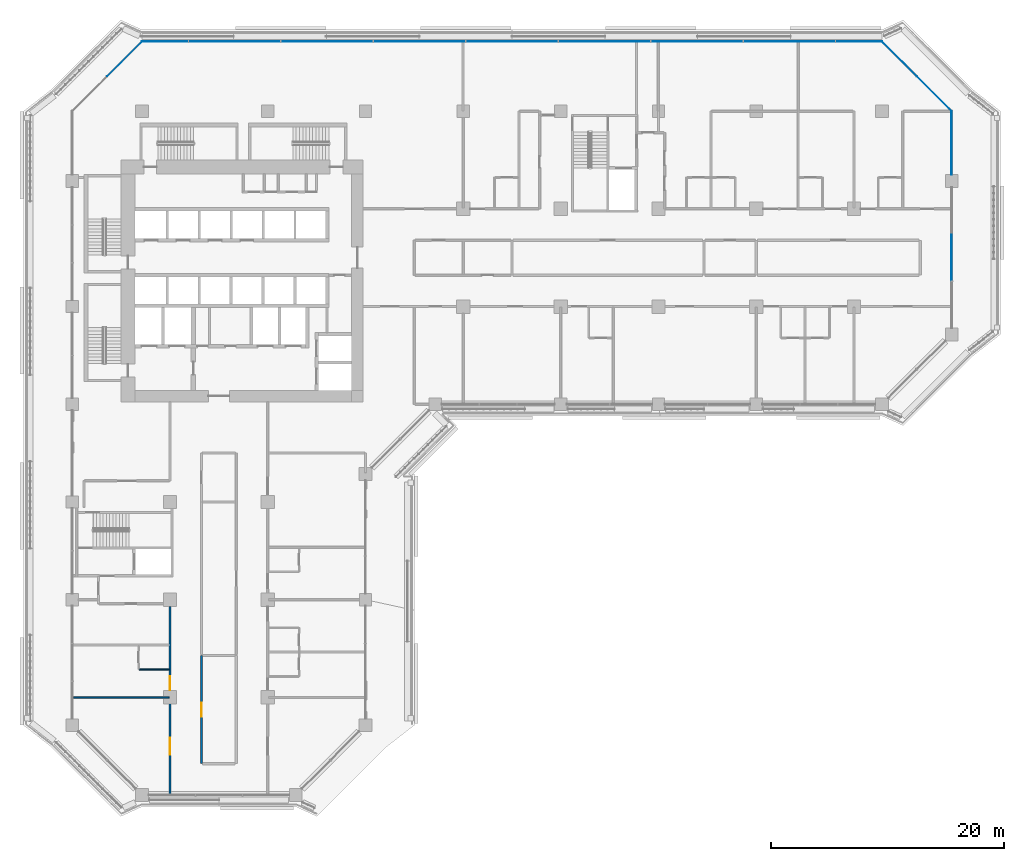
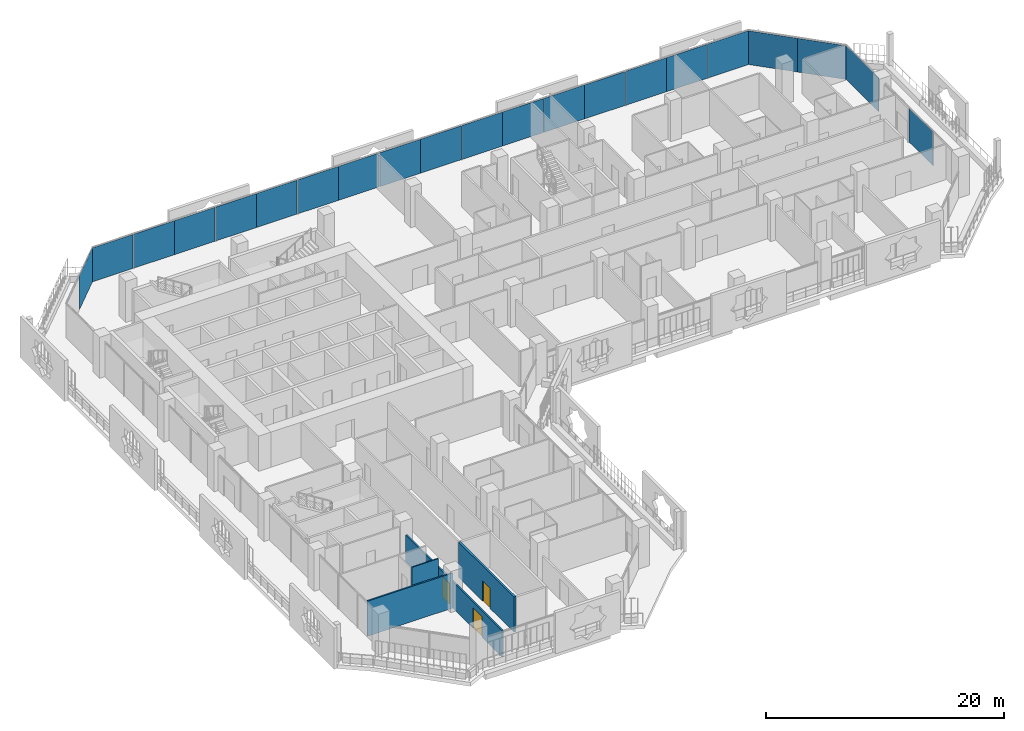
# One storey, part 11 of 25: 21 plates, 4 walls, 3 doors, 3 openings, 4 elements without a shape of their own.
"""IFC4 building model written with IfcOpenShell, lengths in metres."""

from ifc_helpers import new_model, si_unit, direction, frame, frame_2d, origin, origin_2d, place, context, subcontext, project, spatial, rectangle, extrude, material, layer, layer_set, type_object, element, fill, aggregate, save


model = new_model("IFC4")

# Units and contexts
model_context = context("Model", 3, precision=1e-05, world=origin(), true_north=direction((0.0, 1.0)))
body_context = subcontext(model_context, "Body", "Model", "MODEL_VIEW")
ifc_project = project(units=[si_unit("LENGTHUNIT", "METRE"), si_unit("AREAUNIT", "SQUARE_METRE"), si_unit("VOLUMEUNIT", "CUBIC_METRE"), si_unit("PLANEANGLEUNIT", "RADIAN"), si_unit("MASSUNIT", "GRAM", prefix="KILO")], contexts=[model_context])

# Site, building, storey
site_placement = place(None, origin())
site = spatial("IfcSite", under=ifc_project, at=site_placement, CompositionType="ELEMENT")
building_placement = place(site_placement, origin())
building = spatial("IfcBuilding", under=site, at=building_placement, Name="Kawkab Arch Medical Tower", CompositionType="ELEMENT")
storey_placement = place(building_placement, frame((0.0, 0.0, 128.199951171875)))
storey = spatial("IfcBuildingStorey", under=building, at=storey_placement, Name="L29", CompositionType="ELEMENT", Elevation=128.199951171875)

# Curtain wall, plates
ifc_material_1 = material(Name="Bronze anodised aluminium curtain wall frame", Category="aluminium")
ifc_layer_1 = layer(ifc_material_1, 0.159912109375)
ifc_layer_set_1 = layer_set([ifc_layer_1], Name="Bronze anodised aluminium curtain wall frame")
curtain_wall_type_1 = type_object("IfcCurtainWallType", Name="CW1 ward curtain wall", PredefinedType="NOTDEFINED", material=ifc_layer_set_1)
placement = place(storey_placement, origin())
curtain_wall_1 = element("IfcCurtainWall", 1, at=placement, inside=storey, type_object=curtain_wall_type_1, Name="CW1 Ward curtain wall R09", PredefinedType="NOTDEFINED")
ifc_material_2 = material(Name="Tinted insulating glass, bronze low-e coating", Category="glass")
ifc_layer_2 = layer(ifc_material_2, 0.031982421875)
ifc_layer_set_2 = layer_set([ifc_layer_2], Name="Tinted insulating glass, bronze low-e coating")
plate_type_1 = type_object("IfcPlateType", Name="CW1 glazing unit 32", PredefinedType="CURTAIN_PANEL", material=ifc_layer_set_2)
plate_1_placement = place(storey_placement, frame((75.60009765625, -12.5849609375, 0.0), z_axis=(0.0, 0.0, 1.0), x_axis=(0.0, 1.0, 0.0)))
plate_1 = element("IfcPlate", 2, at=plate_1_placement, type_object=plate_type_1, Name="CW1 glazing unit 1.2", PredefinedType="CURTAIN_PANEL", context=body_context, shape_type="SweptSolid", body=[
    extrude(rectangle(XDim=4.00341796875, YDim=0.031982421875, at=origin_2d()), origin(), (0.0, 0.0, 1.0), 3.47998046875),
])
plate_2_placement = place(storey_placement, frame((75.60009765625, -2.72509765625, 0.0), z_axis=(0.0, 0.0, 1.0), x_axis=(0.0, 1.0, 0.0)))
plate_2 = element("IfcPlate", 3, at=plate_2_placement, type_object=plate_type_1, Name="CW1 glazing unit 2.1", PredefinedType="CURTAIN_PANEL", context=body_context, shape_type="SweptSolid", body=[
    extrude(rectangle(XDim=5.449951171875, YDim=0.031982421875, at=origin_2d()), origin(), (0.0, 0.0, 1.0), 3.47998046875),
])
aggregate(curtain_wall_1, [plate_1, plate_2])

curtain_wall_2 = element("IfcCurtainWall", 4, at=placement, inside=storey, type_object=curtain_wall_type_1, Name="CW1 Ward curtain wall R11", PredefinedType="NOTDEFINED")
plate_3_placement = place(storey_placement, frame((67.62744140625, 6.0, 0.0), z_axis=(0.0, 0.0, 1.0), x_axis=(-1.0, 0.0, 0.0)))
plate_3 = element("IfcPlate", 5, at=plate_3_placement, type_object=plate_type_1, Name="CW1 glazing unit 1.1", PredefinedType="CURTAIN_PANEL", context=body_context, shape_type="SweptSolid", body=[
    extrude(rectangle(XDim=3.945068359375, YDim=0.031982421875, at=origin_2d()), origin(), (0.0, 0.0, 1.0), 3.47998046875),
])
plate_4_placement = place(storey_placement, frame((63.62255859375, 6.0, 0.0), z_axis=(0.0, 0.0, 1.0), x_axis=(-1.0, 0.0, 0.0)))
plate_4 = element("IfcPlate", 6, at=plate_4_placement, type_object=plate_type_1, Name="CW1 glazing unit 1.2", PredefinedType="CURTAIN_PANEL", context=body_context, shape_type="SweptSolid", body=[
    extrude(rectangle(XDim=3.945068359375, YDim=0.031982421875, at=origin_2d()), origin(), (0.0, 0.0, 1.0), 3.47998046875),
])
plate_5_placement = place(storey_placement, frame((59.677490234375, 6.0, 0.0), z_axis=(0.0, 0.0, 1.0), x_axis=(-1.0, 0.0, 0.0)))
plate_5 = element("IfcPlate", 7, at=plate_5_placement, type_object=plate_type_1, Name="CW1 glazing unit 2.1", PredefinedType="CURTAIN_PANEL", context=body_context, shape_type="SweptSolid", body=[
    extrude(rectangle(XDim=3.945068359375, YDim=0.031982421875, at=origin_2d()), origin(), (0.0, 0.0, 1.0), 3.47998046875),
])
plate_6_placement = place(storey_placement, frame((55.672607421875, 6.0, 0.0), z_axis=(0.0, 0.0, 1.0), x_axis=(-1.0, 0.0, 0.0)))
plate_6 = element("IfcPlate", 8, at=plate_6_placement, type_object=plate_type_1, Name="CW1 glazing unit 2.2", PredefinedType="CURTAIN_PANEL", context=body_context, shape_type="SweptSolid", body=[
    extrude(rectangle(XDim=3.945068359375, YDim=0.031982421875, at=origin_2d()), origin(), (0.0, 0.0, 1.0), 3.47998046875),
])
plate_7_placement = place(storey_placement, frame((51.7275390625, 6.0, 0.0), z_axis=(0.0, 0.0, 1.0), x_axis=(-1.0, 0.0, 0.0)))
plate_7 = element("IfcPlate", 9, at=plate_7_placement, type_object=plate_type_1, Name="CW1 glazing unit 3.1", PredefinedType="CURTAIN_PANEL", context=body_context, shape_type="SweptSolid", body=[
    extrude(rectangle(XDim=3.945068359375, YDim=0.031982421875, at=origin_2d()), origin(), (0.0, 0.0, 1.0), 3.47998046875),
])
plate_8_placement = place(storey_placement, frame((47.722412109375, 6.0, 0.0), z_axis=(0.0, 0.0, 1.0), x_axis=(-1.0, 0.0, 0.0)))
plate_8 = element("IfcPlate", 10, at=plate_8_placement, type_object=plate_type_1, Name="CW1 glazing unit 3.2", PredefinedType="CURTAIN_PANEL", context=body_context, shape_type="SweptSolid", body=[
    extrude(rectangle(XDim=3.945068359375, YDim=0.031982421875, at=origin_2d()), origin(), (0.0, 0.0, 1.0), 3.47998046875),
])
plate_9_placement = place(storey_placement, frame((43.777587890625, 6.0, 0.0), z_axis=(0.0, 0.0, 1.0), x_axis=(-1.0, 0.0, 0.0)))
plate_9 = element("IfcPlate", 11, at=plate_9_placement, type_object=plate_type_1, Name="CW1 glazing unit 4.1", PredefinedType="CURTAIN_PANEL", context=body_context, shape_type="SweptSolid", body=[
    extrude(rectangle(XDim=3.945068359375, YDim=0.031982421875, at=origin_2d()), origin(), (0.0, 0.0, 1.0), 3.47998046875),
])
plate_10_placement = place(storey_placement, frame((39.7724609375, 6.0, 0.0), z_axis=(0.0, 0.0, 1.0), x_axis=(-1.0, 0.0, 0.0)))
plate_10 = element("IfcPlate", 12, at=plate_10_placement, type_object=plate_type_1, Name="CW1 glazing unit 4.2", PredefinedType="CURTAIN_PANEL", context=body_context, shape_type="SweptSolid", body=[
    extrude(rectangle(XDim=3.945068359375, YDim=0.031982421875, at=origin_2d()), origin(), (0.0, 0.0, 1.0), 3.47998046875),
])
plate_11_placement = place(storey_placement, frame((35.827392578125, 6.0, 0.0), z_axis=(0.0, 0.0, 1.0), x_axis=(-1.0, 0.0, 0.0)))
plate_11 = element("IfcPlate", 13, at=plate_11_placement, type_object=plate_type_1, Name="CW1 glazing unit 5.1", PredefinedType="CURTAIN_PANEL", context=body_context, shape_type="SweptSolid", body=[
    extrude(rectangle(XDim=3.945068359375, YDim=0.031982421875, at=origin_2d()), origin(), (0.0, 0.0, 1.0), 3.47998046875),
])
plate_12_placement = place(storey_placement, frame((31.822509765625, 6.0, 0.0), z_axis=(0.0, 0.0, 1.0), x_axis=(-1.0, 0.0, 0.0)))
plate_12 = element("IfcPlate", 14, at=plate_12_placement, type_object=plate_type_1, Name="CW1 glazing unit 5.2", PredefinedType="CURTAIN_PANEL", context=body_context, shape_type="SweptSolid", body=[
    extrude(rectangle(XDim=3.945068359375, YDim=0.031982421875, at=origin_2d()), origin(), (0.0, 0.0, 1.0), 3.47998046875),
])
plate_13_placement = place(storey_placement, frame((27.87744140625, 6.0, 0.0), z_axis=(0.0, 0.0, 1.0), x_axis=(-1.0, 0.0, 0.0)))
plate_13 = element("IfcPlate", 15, at=plate_13_placement, type_object=plate_type_1, Name="CW1 glazing unit 6.1", PredefinedType="CURTAIN_PANEL", context=body_context, shape_type="SweptSolid", body=[
    extrude(rectangle(XDim=3.945068359375, YDim=0.031982421875, at=origin_2d()), origin(), (0.0, 0.0, 1.0), 3.47998046875),
])
plate_14_placement = place(storey_placement, frame((23.87255859375, 6.0, 0.0), z_axis=(0.0, 0.0, 1.0), x_axis=(-1.0, 0.0, 0.0)))
plate_14 = element("IfcPlate", 16, at=plate_14_placement, type_object=plate_type_1, Name="CW1 glazing unit 6.2", PredefinedType="CURTAIN_PANEL", context=body_context, shape_type="SweptSolid", body=[
    extrude(rectangle(XDim=3.945068359375, YDim=0.031982421875, at=origin_2d()), origin(), (0.0, 0.0, 1.0), 3.47998046875),
])
plate_15_placement = place(storey_placement, frame((19.927490234375, 6.0, 0.0), z_axis=(0.0, 0.0, 1.0), x_axis=(-1.0, 0.0, 0.0)))
plate_15 = element("IfcPlate", 17, at=plate_15_placement, type_object=plate_type_1, Name="CW1 glazing unit 7.1", PredefinedType="CURTAIN_PANEL", context=body_context, shape_type="SweptSolid", body=[
    extrude(rectangle(XDim=3.945068359375, YDim=0.031982421875, at=origin_2d()), origin(), (0.0, 0.0, 1.0), 3.47998046875),
])
plate_16_placement = place(storey_placement, frame((15.922607421875, 6.0, 0.0), z_axis=(0.0, 0.0, 1.0), x_axis=(-1.0, 0.0, 0.0)))
plate_16 = element("IfcPlate", 18, at=plate_16_placement, type_object=plate_type_1, Name="CW1 glazing unit 7.2", PredefinedType="CURTAIN_PANEL", context=body_context, shape_type="SweptSolid", body=[
    extrude(rectangle(XDim=3.945068359375, YDim=0.031982421875, at=origin_2d()), origin(), (0.0, 0.0, 1.0), 3.47998046875),
])
plate_17_placement = place(storey_placement, frame((11.9775390625, 6.0, 0.0), z_axis=(0.0, 0.0, 1.0), x_axis=(-1.0, 0.0, 0.0)))
plate_17 = element("IfcPlate", 19, at=plate_17_placement, type_object=plate_type_1, Name="CW1 glazing unit 8.1", PredefinedType="CURTAIN_PANEL", context=body_context, shape_type="SweptSolid", body=[
    extrude(rectangle(XDim=3.945068359375, YDim=0.031982421875, at=origin_2d()), origin(), (0.0, 0.0, 1.0), 3.47998046875),
])
plate_18_placement = place(storey_placement, frame((7.972412109375, 6.0, 0.0), z_axis=(0.0, 0.0, 1.0), x_axis=(-1.0, 0.0, 0.0)))
plate_18 = element("IfcPlate", 20, at=plate_18_placement, type_object=plate_type_1, Name="CW1 glazing unit 8.2", PredefinedType="CURTAIN_PANEL", context=body_context, shape_type="SweptSolid", body=[
    extrude(rectangle(XDim=3.945068359375, YDim=0.031982421875, at=origin_2d()), origin(), (0.0, 0.0, 1.0), 3.47998046875),
])
aggregate(curtain_wall_2, [plate_3, plate_4, plate_5, plate_6, plate_7, plate_8, plate_9, plate_10, plate_11, plate_12, plate_13, plate_14, plate_15, plate_16, plate_17, plate_18])

ifc_material_3 = material(Name="Bronze anodised aluminium curtain wall frame", Category="aluminium")
ifc_layer_3 = layer(ifc_material_3, 0.159912109375)
ifc_layer_set_3 = layer_set([ifc_layer_3], Name="Bronze anodised aluminium curtain wall frame")
curtain_wall_type_2 = type_object("IfcCurtainWallType", Name="CW2 chamfer curtain wall", PredefinedType="NOTDEFINED", material=ifc_layer_set_3)
curtain_wall_3 = element("IfcCurtainWall", 21, at=placement, inside=storey, type_object=curtain_wall_type_2, Name="CW2 Chamfer curtain wall R10", PredefinedType="NOTDEFINED")
ifc_material_4 = material(Name="Tinted insulating glass, bronze low-e coating", Category="glass")
ifc_layer_4 = layer(ifc_material_4, 0.031982421875)
ifc_layer_set_4 = layer_set([ifc_layer_4], Name="Tinted insulating glass, bronze low-e coating")
plate_type_2 = type_object("IfcPlateType", Name="CW2 glazing unit 32", PredefinedType="CURTAIN_PANEL", material=ifc_layer_set_4)
plate_19_placement = place(storey_placement, frame((74.10009765625, 1.5, 0.0), z_axis=(0.0, 0.0, 1.0), x_axis=(-0.707106781187, 0.707106781187, 0.0)))
plate_19 = element("IfcPlate", 22, at=plate_19_placement, type_object=plate_type_2, Name="CW2 glazing unit 1.1", PredefinedType="CURTAIN_PANEL", context=body_context, shape_type="SweptSolid", body=[
    extrude(rectangle(XDim=4.24267578125, YDim=0.031982421875, at=origin_2d()), origin(), (0.0, 0.0, 1.0), 3.4599609375),
])
plate_20_placement = place(storey_placement, frame((71.10009765625, 4.5, 0.0), z_axis=(0.0, 0.0, 1.0), x_axis=(-0.707106781187, 0.707106781187, 0.0)))
plate_20 = element("IfcPlate", 23, at=plate_20_placement, type_object=plate_type_2, Name="CW2 glazing unit 2.1", PredefinedType="CURTAIN_PANEL", context=body_context, shape_type="SweptSolid", body=[
    extrude(rectangle(XDim=4.24267578125, YDim=0.031982421875, at=origin_2d()), origin(), (0.0, 0.0, 1.0), 3.4599609375),
])
aggregate(curtain_wall_3, [plate_19, plate_20])

# Curtain wall, plate
curtain_wall_4 = element("IfcCurtainWall", 24, at=placement, inside=storey, type_object=curtain_wall_type_2, Name="CW2 Chamfer curtain wall R12", PredefinedType="NOTDEFINED")
plate_21_placement = place(storey_placement, frame((4.5, 4.5, 0.0), z_axis=(0.0, 0.0, 1.0), x_axis=(-0.707106781187, -0.707106781187, 0.0)))
plate_21 = element("IfcPlate", 25, at=plate_21_placement, type_object=plate_type_2, Name="CW2 glazing unit 1.1", PredefinedType="CURTAIN_PANEL", context=body_context, shape_type="SweptSolid", body=[
    extrude(rectangle(XDim=4.24267578125, YDim=0.031982421875, at=origin_2d()), origin(), (0.0, 0.0, 1.0), 3.4599609375),
])
aggregate(curtain_wall_4, [plate_21])

# Walls
ifc_material_5 = material(Name="Gypsum board partition on steel studs", Category="steel")
ifc_layer_5 = layer(ifc_material_5, 0.10009765625)
ifc_layer_set_5 = layer_set([ifc_layer_5], Name="Gypsum board partition on steel studs")
wall_type_1 = type_object("IfcWallType", Name="Partition 100", PredefinedType="PARTITIONING", material=ifc_layer_set_5)
wall_1_placement = place(storey_placement, frame((5.75, -48.0, 0.0), z_axis=(0.0, 0.0, 1.0), x_axis=(1.0, 0.0, 0.0)))
element("IfcWall", 26, at=wall_1_placement, inside=storey, type_object=wall_type_1, Name="Partition 100 w002", PredefinedType="PARTITIONING", context=body_context, shape_type="SweptSolid", body=[
    extrude(rectangle(XDim=2.574951171875, YDim=0.10009765625, at=frame_2d((1.28759765625, 0.0))), origin(), (0.0, 0.0, 1.0), 3.60009765625),
])
ifc_material_6 = material(Name="Gypsum board partition on steel studs, mineral wool", Category="steel")
ifc_layer_6 = layer(ifc_material_6, 0.14990234375)
ifc_layer_set_6 = layer_set([ifc_layer_6], Name="Gypsum board partition on steel studs, mineral wool")
wall_type_2 = type_object("IfcWallType", Name="Partition 150", PredefinedType="PARTITIONING", material=ifc_layer_set_6)
wall_2_placement = place(storey_placement, frame((0.080078125, -50.39990234375, 0.0), z_axis=(0.0, 0.0, 1.0), x_axis=(1.0, 0.0, 0.0)))
element("IfcWall", 27, at=wall_2_placement, inside=storey, type_object=wall_type_2, Name="Partition 150 w022", PredefinedType="PARTITIONING", context=body_context, shape_type="SweptSolid", body=[
    extrude(rectangle(XDim=8.244873046875, YDim=0.14990234375, at=frame_2d((4.12255859375, 0.0))), origin(), (0.0, 0.0, 1.0), 3.60009765625),
])

# Wall, openings, doors
wall_3_placement = place(storey_placement, frame((8.39990234375, -58.719970703125, 0.0), z_axis=(0.0, 0.0, 1.0), x_axis=(0.0, 1.0, 0.0)))
wall_3 = element("IfcWall", 28, at=wall_3_placement, inside=storey, type_object=wall_type_2, Name="Partition 150 w053", PredefinedType="PARTITIONING", context=body_context, shape_type="SweptSolid", body=[
    extrude(rectangle(XDim=16.14501953125, YDim=0.14990234375, at=frame_2d((8.072509765625, 0.0))), origin(), (0.0, 0.0, 1.0), 2.699951171875),
])
opening_1_placement = place(wall_3_placement, frame((8.919921875, 0.0, 0.0)))
opening_1 = element("IfcOpeningElement", 29, at=opening_1_placement, cuts=wall_3, Name="Opening W29-044", PredefinedType="OPENING", context=body_context, shape_type="SweptSolid", body=[
    extrude(rectangle(XDim=1.199951171875, YDim=2.10009765625, at=frame_2d((0.60009765625, 1.050048828125))), frame((0.0, 0.0849609375, 0.0), z_axis=(0.0, -1.0, 0.0), x_axis=(1.0, 0.0, 0.0)), (0.0, 0.0, 1.0), 0.169921875),
])
opening_2_placement = place(wall_3_placement, frame((3.3701171875, 0.0, 0.0)))
opening_2 = element("IfcOpeningElement", 30, at=opening_2_placement, cuts=wall_3, Name="Opening W29-006", PredefinedType="OPENING", context=body_context, shape_type="SweptSolid", body=[
    extrude(rectangle(XDim=1.5, YDim=2.10009765625, at=frame_2d((0.75, 1.050048828125))), frame((0.0, 0.0849609375, 0.0), z_axis=(0.0, -1.0, 0.0), x_axis=(1.0, 0.0, 0.0)), (0.0, 0.0, 1.0), 0.169921875),
])
ifc_material_7 = material(Name="Hollow metal door leaf")
door_type_1 = type_object("IfcDoorType", Name="Double door 1500x2100 FD30S", OperationType="NOTDEFINED", PredefinedType="DOOR", material=ifc_material_7)
door_1_placement = place(opening_2_placement, origin())
door_1 = element("IfcDoor", 31, at=door_1_placement, inside=storey, type_object=door_type_1, Name="Door W29-006", OperationType="DOUBLE_DOOR_SINGLE_SWING", OverallHeight=2.10009765625, OverallWidth=1.5, PredefinedType="DOOR", context=body_context, shape_type="SweptSolid", body=[
    extrude(rectangle(XDim=1.5, YDim=2.10009765625, at=frame_2d((0.75, 1.050048828125))), frame((0.0, 0.02490234375, 0.0), z_axis=(0.0, -1.0, 0.0), x_axis=(1.0, 0.0, 0.0)), (0.0, 0.0, 1.0), 0.050048828125),
])
fill(opening_2, door_1)
ifc_material_8 = material(Name="Hollow metal door leaf")
door_type_2 = type_object("IfcDoorType", Name="Single door 1200x2100 FD30S", OperationType="NOTDEFINED", PredefinedType="DOOR", material=ifc_material_8)
door_2_placement = place(opening_1_placement, origin())
door_2 = element("IfcDoor", 32, at=door_2_placement, inside=storey, type_object=door_type_2, Name="Door W29-044", OperationType="SINGLE_SWING_RIGHT", OverallHeight=2.10009765625, OverallWidth=1.199951171875, PredefinedType="DOOR", context=body_context, shape_type="SweptSolid", body=[
    extrude(rectangle(XDim=1.199951171875, YDim=2.10009765625, at=frame_2d((0.60009765625, 1.050048828125))), frame((0.0, 0.02490234375, 0.0), z_axis=(0.0, -1.0, 0.0), x_axis=(1.0, 0.0, 0.0)), (0.0, 0.0, 1.0), 0.050048828125),
])
fill(opening_1, door_2)

# Wall, opening, door
ifc_material_9 = material(Name="Fire-rated gypsum board partition on steel studs", Category="steel")
ifc_layer_7 = layer(ifc_material_9, 0.199951171875)
ifc_layer_set_7 = layer_set([ifc_layer_7], Name="Fire-rated gypsum board partition on steel studs")
wall_type_3 = type_object("IfcWallType", Name="Protected partition 200", PredefinedType="PARTITIONING", material=ifc_layer_set_7)
wall_4_placement = place(storey_placement, frame((11.10009765625, -56.10009765625, 0.0), z_axis=(0.0, 0.0, 1.0), x_axis=(0.0, 1.0, 0.0)))
wall_4 = element("IfcWall", 33, at=wall_4_placement, inside=storey, type_object=wall_type_3, Name="Protected partition 200 w088", PredefinedType="PARTITIONING", context=body_context, shape_type="SweptSolid", body=[
    extrude(rectangle(XDim=9.300048828125, YDim=0.199951171875, at=frame_2d((4.64990234375, 0.0))), origin(), (0.0, 0.0, 1.0), 3.60009765625),
])
opening_3_placement = place(wall_4_placement, frame((4.050048828125, 0.0, 0.0)))
opening_3 = element("IfcOpeningElement", 34, at=opening_3_placement, cuts=wall_4, Name="Opening W29-050", PredefinedType="OPENING", context=body_context, shape_type="SweptSolid", body=[
    extrude(rectangle(XDim=1.199951171875, YDim=2.10009765625, at=frame_2d((0.60009765625, 1.050048828125))), frame((0.0, 0.10986328125, 0.0), z_axis=(0.0, -1.0, 0.0), x_axis=(1.0, 0.0, 0.0)), (0.0, 0.0, 1.0), 0.219970703125),
])
ifc_material_10 = material(Name="Hollow metal door leaf")
door_type_3 = type_object("IfcDoorType", Name="Single door 1200x2100 FD60", OperationType="NOTDEFINED", PredefinedType="DOOR", material=ifc_material_10)
door_3_placement = place(opening_3_placement, origin())
door_3 = element("IfcDoor", 35, at=door_3_placement, inside=storey, type_object=door_type_3, Name="Door W29-050", OperationType="SINGLE_SWING_LEFT", OverallHeight=2.10009765625, OverallWidth=1.199951171875, PredefinedType="DOOR", context=body_context, shape_type="SweptSolid", body=[
    extrude(rectangle(XDim=1.199951171875, YDim=2.10009765625, at=frame_2d((0.60009765625, 1.050048828125))), frame((0.0, 0.02490234375, 0.0), z_axis=(0.0, -1.0, 0.0), x_axis=(1.0, 0.0, 0.0)), (0.0, 0.0, 1.0), 0.050048828125),
])
fill(opening_3, door_3)

save(model, "model.ifc")
